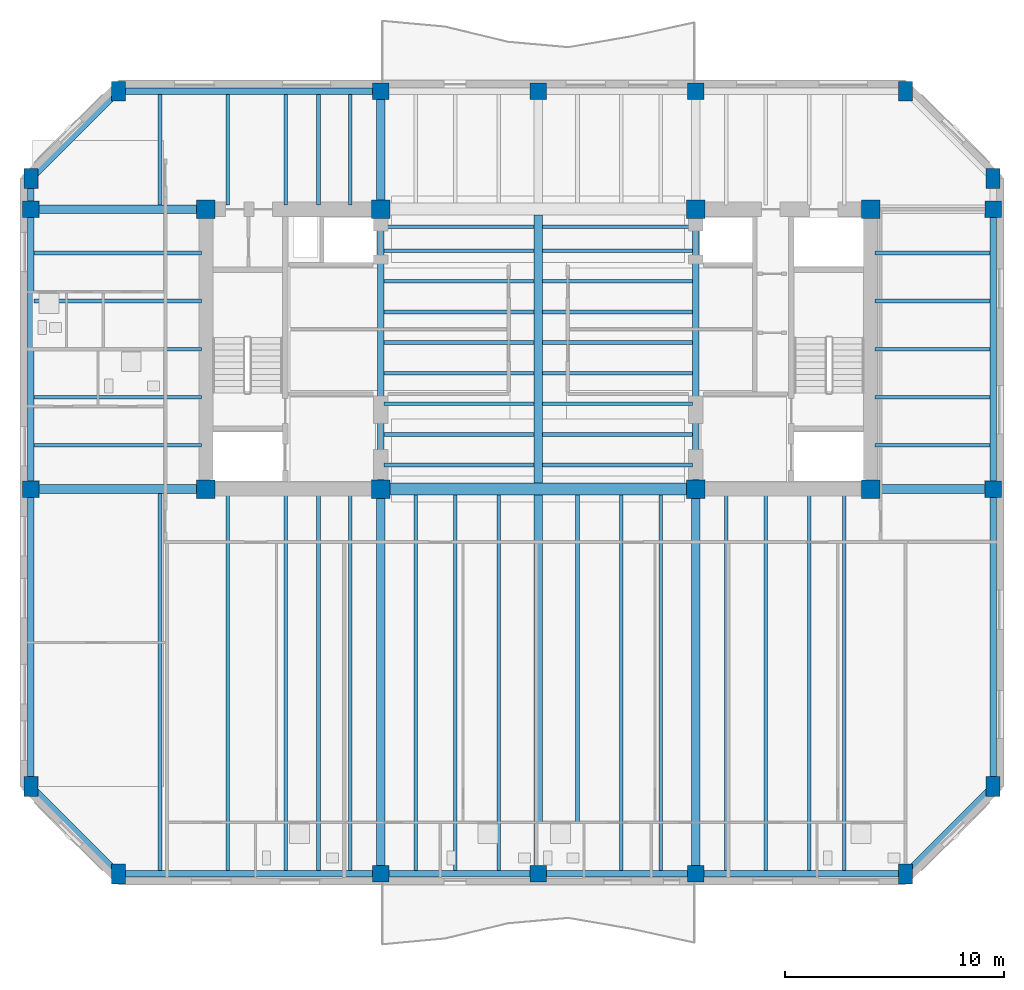
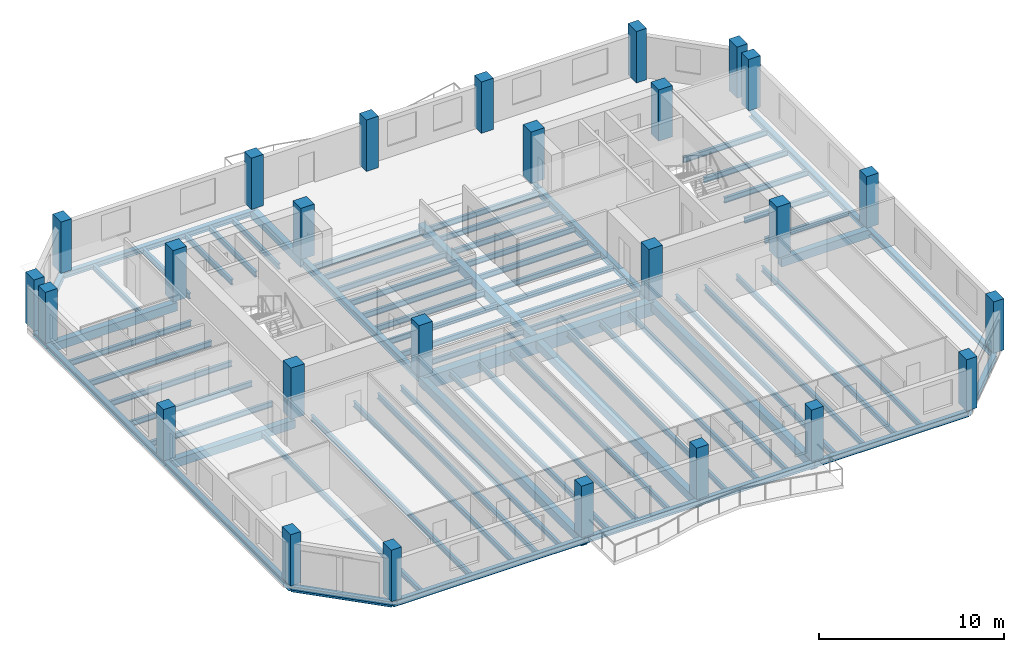
# One storey, part 1 of 11: 72 beams, 26 columns.
"""IFC4 building model written with IfcOpenShell, lengths in metres."""

from ifc_helpers import new_model, si_unit, direction, frame, origin, origin_2d, place, context, subcontext, project, spatial, rectangle, i_section, extrude, material, material_profile, profile_set, type_object, element, save


model = new_model("IFC4")

# Units and contexts
model_context = context("Model", 3, precision=1e-05, world=origin(), true_north=direction((0.0, 1.0)))
body_context = subcontext(model_context, "Body", "Model", "MODEL_VIEW")
ifc_project = project(units=[si_unit("LENGTHUNIT", "METRE"), si_unit("AREAUNIT", "SQUARE_METRE"), si_unit("VOLUMEUNIT", "CUBIC_METRE"), si_unit("PLANEANGLEUNIT", "RADIAN"), si_unit("MASSUNIT", "GRAM", prefix="KILO")], contexts=[model_context])

# Site, building, storey
site_placement = place(None, origin())
site = spatial("IfcSite", under=ifc_project, at=site_placement, CompositionType="ELEMENT")
building_placement = place(site_placement, origin())
building = spatial("IfcBuilding", under=site, at=building_placement, Name="Kranthara Brick Stack", CompositionType="ELEMENT")
storey_placement = place(building_placement, frame((0.0, 0.0, 221.10009765625)))
storey = spatial("IfcBuildingStorey", under=building, at=storey_placement, Name="L57", CompositionType="ELEMENT", Elevation=221.10009765625)

# Columns
ifc_material_1 = material(Name="Concrete C50/60", Category="concrete")
ifc_material_profile_1 = material_profile(ifc_material_1, rectangle(XDim=0.64990234375, YDim=0.89990234375, at=origin_2d()), Name="RC 650x900")
ifc_profile_set_1 = profile_set([ifc_material_profile_1], Name="Concrete C50/60")
column_type_1 = type_object("IfcColumnType", Name="COL-CHAM-650x900", PredefinedType="COLUMN", material=ifc_profile_set_1)
for number, where, z_axis, x_axis, name in (
    (1, (8.800048828125, 3.199951171875, 0.0), (0.0, 0.0, 1.0), (1.0, 0.0, 0.0), "L57 Column 09"),
    (2, (8.800048828125, 39.0, 0.0), (0.0, 0.0, 1.0), (1.0, 0.0, 0.0), "L57 Column 10"),
    (3, (44.800048828125, 3.199951171875, 0.0), (0.0, 0.0, 1.0), (1.0, 0.0, 0.0), "L57 Column 17"),
    (4, (44.800048828125, 39.0, 0.0), (0.0, 0.0, 1.0), (1.0, 0.0, 0.0), "L57 Column 18"),
    (5, (4.800048828125, 7.199951171875, 0.0), (0.0, 0.0, 1.0), (1.0, 0.0, 0.0), "L57 Column 19"),
    (6, (48.800048828125, 7.199951171875, 0.0), (0.0, 0.0, 1.0), (1.0, 0.0, 0.0), "L57 Column 20"),
    (7, (4.800048828125, 35.0, 0.0), (0.0, 0.0, 1.0), (1.0, 0.0, 0.0), "L57 Column 25"),
    (8, (48.800048828125, 35.0, 0.0), (0.0, 0.0, 1.0), (1.0, 0.0, 0.0), "L57 Column 26"),
):
    element("IfcColumn", number, at=place(storey_placement, frame(where, z_axis=z_axis, x_axis=x_axis)), inside=storey, type_object=column_type_1, Name=name, PredefinedType="COLUMN", context=body_context, shape_type="SweptSolid", body=[
        extrude(rectangle(XDim=0.64990234375, YDim=0.89990234375, at=origin_2d()), origin(), (0.0, 0.0, 1.0), 3.39990234375),
    ])
ifc_material_2 = material(Name="Concrete C50/60", Category="concrete")
ifc_material_profile_2 = material_profile(ifc_material_2, rectangle(XDim=0.85009765625, YDim=0.85009765625, at=origin_2d()), Name="RC 850x850")
ifc_profile_set_2 = profile_set([ifc_material_profile_2], Name="Concrete C50/60")
column_type_2 = type_object("IfcColumnType", Name="COL-CORE-850", PredefinedType="COLUMN", material=ifc_profile_set_2)
for number, where, z_axis, x_axis, name in (
    (9, (12.800048828125, 20.800048828125, 0.0), (0.0, 0.0, 1.0), (1.0, 0.0, 0.0), "L57 Column 01"),
    (10, (20.800048828125, 20.800048828125, 0.0), (0.0, 0.0, 1.0), (1.0, 0.0, 0.0), "L57 Column 02"),
    (11, (12.800048828125, 33.60009765625, 0.0), (0.0, 0.0, 1.0), (1.0, 0.0, 0.0), "L57 Column 03"),
    (12, (20.800048828125, 33.60009765625, 0.0), (0.0, 0.0, 1.0), (1.0, 0.0, 0.0), "L57 Column 04"),
    (13, (35.199951171875, 20.800048828125, 0.0), (0.0, 0.0, 1.0), (1.0, 0.0, 0.0), "L57 Column 05"),
    (14, (43.199951171875, 20.800048828125, 0.0), (0.0, 0.0, 1.0), (1.0, 0.0, 0.0), "L57 Column 06"),
    (15, (35.199951171875, 33.60009765625, 0.0), (0.0, 0.0, 1.0), (1.0, 0.0, 0.0), "L57 Column 07"),
    (16, (43.199951171875, 33.60009765625, 0.0), (0.0, 0.0, 1.0), (1.0, 0.0, 0.0), "L57 Column 08"),
):
    element("IfcColumn", number, at=place(storey_placement, frame(where, z_axis=z_axis, x_axis=x_axis)), inside=storey, type_object=column_type_2, Name=name, PredefinedType="COLUMN", context=body_context, shape_type="SweptSolid", body=[
        extrude(rectangle(XDim=0.85009765625, YDim=0.85009765625, at=origin_2d()), origin(), (0.0, 0.0, 1.0), 3.39990234375),
    ])
ifc_material_3 = material(Name="Concrete C50/60", Category="concrete")
ifc_material_profile_3 = material_profile(ifc_material_3, rectangle(XDim=0.75, YDim=0.75, at=origin_2d()), Name="RC 750x750")
ifc_profile_set_3 = profile_set([ifc_material_profile_3], Name="Concrete C50/60")
column_type_3 = type_object("IfcColumnType", Name="COL-PER-750", PredefinedType="COLUMN", material=ifc_profile_set_3)
for number, where, z_axis, x_axis, name in (
    (17, (20.800048828125, 3.199951171875, 0.0), (0.0, 0.0, 1.0), (1.0, 0.0, 0.0), "L57 Column 11"),
    (18, (20.800048828125, 39.0, 0.0), (0.0, 0.0, 1.0), (1.0, 0.0, 0.0), "L57 Column 12"),
    (19, (28.0, 3.199951171875, 0.0), (0.0, 0.0, 1.0), (1.0, 0.0, 0.0), "L57 Column 13"),
    (20, (28.0, 39.0, 0.0), (0.0, 0.0, 1.0), (1.0, 0.0, 0.0), "L57 Column 14"),
    (21, (35.199951171875, 3.199951171875, 0.0), (0.0, 0.0, 1.0), (1.0, 0.0, 0.0), "L57 Column 15"),
    (22, (35.199951171875, 39.0, 0.0), (0.0, 0.0, 1.0), (1.0, 0.0, 0.0), "L57 Column 16"),
    (23, (4.800048828125, 20.800048828125, 0.0), (0.0, 0.0, 1.0), (1.0, 0.0, 0.0), "L57 Column 21"),
    (24, (48.800048828125, 20.800048828125, 0.0), (0.0, 0.0, 1.0), (1.0, 0.0, 0.0), "L57 Column 22"),
    (25, (4.800048828125, 33.60009765625, 0.0), (0.0, 0.0, 1.0), (1.0, 0.0, 0.0), "L57 Column 23"),
    (26, (48.800048828125, 33.60009765625, 0.0), (0.0, 0.0, 1.0), (1.0, 0.0, 0.0), "L57 Column 24"),
):
    element("IfcColumn", number, at=place(storey_placement, frame(where, z_axis=z_axis, x_axis=x_axis)), inside=storey, type_object=column_type_3, Name=name, PredefinedType="COLUMN", context=body_context, shape_type="SweptSolid", body=[
        extrude(rectangle(XDim=0.75, YDim=0.75, at=origin_2d()), origin(), (0.0, 0.0, 1.0), 3.39990234375),
    ])

# Beams
ifc_material_4 = material(Name="Concrete C50/60", Category="concrete")
ifc_material_profile_4 = material_profile(ifc_material_4, rectangle(XDim=0.550048828125, YDim=0.85009765625, at=origin_2d()), Name="RC 550x850")
ifc_profile_set_4 = profile_set([ifc_material_profile_4], Name="Concrete C50/60")
beam_type_1 = type_object("IfcBeamType", Name="BM-CPL-RC850", PredefinedType="LINTEL", material=ifc_profile_set_4)
beam_1_placement = place(storey_placement, frame((20.800048828125, 20.800048828125, -0.72509765625), z_axis=(1.0, 0.0, 0.0), x_axis=(0.0, 1.0, 0.0)))
element("IfcBeam", 27, at=beam_1_placement, inside=storey, type_object=beam_type_1, Name="L57 Core Coupling Beam 001", PredefinedType="LINTEL", context=body_context, shape_type="SweptSolid", body=[
    extrude(rectangle(XDim=0.550048828125, YDim=0.85009765625, at=origin_2d()), origin(), (0.0, 0.0, 1.0), 14.39990234375),
])
ifc_material_5 = material(Name="Post-tensioned concrete C45/55", Category="concrete")
ifc_material_profile_5 = material_profile(ifc_material_5, rectangle(XDim=0.39990234375, YDim=0.550048828125, at=origin_2d()), Name="PT 400x550")
ifc_profile_set_5 = profile_set([ifc_material_profile_5], Name="Post-tensioned concrete C45/55")
beam_type_2 = type_object("IfcBeamType", Name="BM-FLR-PT550", PredefinedType="BEAM", material=ifc_profile_set_5)
beam_2_placement = place(storey_placement, frame((20.800048828125, 3.199951171875, -0.5751953125), z_axis=(0.0, 1.0, 0.0), x_axis=(-1.0, 0.0, 0.0)))
element("IfcBeam", 28, at=beam_2_placement, inside=storey, type_object=beam_type_2, Name="L57 Primary Grid Girder 023", PredefinedType="BEAM", context=body_context, shape_type="SweptSolid", body=[
    extrude(rectangle(XDim=0.39990234375, YDim=0.550048828125, at=origin_2d()), origin(), (0.0, 0.0, 1.0), 17.60009765625),
])
beam_3_placement = place(storey_placement, frame((20.800048828125, 33.60009765625, -0.5751953125), z_axis=(0.0, 1.0, 0.0), x_axis=(-1.0, 0.0, 0.0)))
element("IfcBeam", 29, at=beam_3_placement, inside=storey, type_object=beam_type_2, Name="L57 Primary Grid Girder 024", PredefinedType="BEAM", context=body_context, shape_type="SweptSolid", body=[
    extrude(rectangle(XDim=0.39990234375, YDim=0.550048828125, at=origin_2d()), origin(), (0.0, 0.0, 1.0), 5.39990234375),
])
beam_4_placement = place(storey_placement, frame((28.0, 3.199951171875, -0.5751953125), z_axis=(0.0, 1.0, 0.0), x_axis=(-1.0, 0.0, 0.0)))
element("IfcBeam", 30, at=beam_4_placement, inside=storey, type_object=beam_type_2, Name="L57 Primary Grid Girder 025", PredefinedType="BEAM", context=body_context, shape_type="SweptSolid", body=[
    extrude(rectangle(XDim=0.39990234375, YDim=0.550048828125, at=origin_2d()), origin(), (0.0, 0.0, 1.0), 17.324951171875),
])
beam_5_placement = place(storey_placement, frame((28.0, 21.074951171875, -0.5751953125), z_axis=(0.0, 1.0, 0.0), x_axis=(-1.0, 0.0, 0.0)))
element("IfcBeam", 31, at=beam_5_placement, inside=storey, type_object=beam_type_2, Name="L57 Central Spine Girder 026", PredefinedType="BEAM", context=body_context, shape_type="SweptSolid", body=[
    extrude(rectangle(XDim=0.39990234375, YDim=0.550048828125, at=origin_2d()), origin(), (0.0, 0.0, 1.0), 12.25),
])
beam_6_placement = place(storey_placement, frame((35.199951171875, 3.199951171875, -0.5751953125), z_axis=(0.0, 1.0, 0.0), x_axis=(-1.0, 0.0, 0.0)))
element("IfcBeam", 32, at=beam_6_placement, inside=storey, type_object=beam_type_2, Name="L57 Primary Grid Girder 028", PredefinedType="BEAM", context=body_context, shape_type="SweptSolid", body=[
    extrude(rectangle(XDim=0.39990234375, YDim=0.550048828125, at=origin_2d()), origin(), (0.0, 0.0, 1.0), 17.60009765625),
])
beam_7_placement = place(storey_placement, frame((4.800048828125, 20.800048828125, -0.5751953125), z_axis=(1.0, 0.0, 0.0), x_axis=(0.0, 1.0, 0.0)))
element("IfcBeam", 33, at=beam_7_placement, inside=storey, type_object=beam_type_2, Name="L57 Primary Grid Girder 030", PredefinedType="BEAM", context=body_context, shape_type="SweptSolid", body=[
    extrude(rectangle(XDim=0.39990234375, YDim=0.550048828125, at=origin_2d()), origin(), (0.0, 0.0, 1.0), 8.0),
])
beam_8_placement = place(storey_placement, frame((43.199951171875, 20.800048828125, -0.5751953125), z_axis=(1.0, 0.0, 0.0), x_axis=(0.0, 1.0, 0.0)))
element("IfcBeam", 34, at=beam_8_placement, inside=storey, type_object=beam_type_2, Name="L57 Primary Grid Girder 031", PredefinedType="BEAM", context=body_context, shape_type="SweptSolid", body=[
    extrude(rectangle(XDim=0.39990234375, YDim=0.550048828125, at=origin_2d()), origin(), (0.0, 0.0, 1.0), 5.60009765625),
])
beam_9_placement = place(storey_placement, frame((4.800048828125, 33.60009765625, -0.5751953125), z_axis=(1.0, 0.0, 0.0), x_axis=(0.0, 1.0, 0.0)))
element("IfcBeam", 35, at=beam_9_placement, inside=storey, type_object=beam_type_2, Name="L57 Primary Grid Girder 032", PredefinedType="BEAM", context=body_context, shape_type="SweptSolid", body=[
    extrude(rectangle(XDim=0.39990234375, YDim=0.550048828125, at=origin_2d()), origin(), (0.0, 0.0, 1.0), 8.0),
])
ifc_material_6 = material(Name="Steel S355", Category="steel")
ifc_material_profile_6 = material_profile(ifc_material_6, i_section(OverallWidth=0.169921875, OverallDepth=0.360107421875, WebThickness=0.008056640625, FlangeThickness=0.0126953125, at=origin_2d()), Name="IPE 360")
ifc_profile_set_6 = profile_set([ifc_material_profile_6], Name="Steel S355")
beam_type_3 = type_object("IfcBeamType", Name="BM-JST-IPE360", PredefinedType="JOIST", material=ifc_profile_set_6)
for number, where, z_axis, x_axis, name in (
    (36, (20.949951171875, 21.89990234375, -0.47998046875), (1.0, 0.0, 0.0), (0.0, 1.0, 0.0), "L57 Central Floor Joist 034"),
    (37, (28.199951171875, 21.89990234375, -0.47998046875), (1.0, 0.0, 0.0), (0.0, 1.0, 0.0), "L57 Central Floor Joist 035"),
    (38, (20.949951171875, 23.300048828125, -0.47998046875), (1.0, 0.0, 0.0), (0.0, 1.0, 0.0), "L57 Central Floor Joist 036"),
    (39, (28.199951171875, 23.300048828125, -0.47998046875), (1.0, 0.0, 0.0), (0.0, 1.0, 0.0), "L57 Central Floor Joist 037"),
    (40, (20.949951171875, 24.699951171875, -0.47998046875), (1.0, 0.0, 0.0), (0.0, 1.0, 0.0), "L57 Central Floor Joist 038"),
    (41, (28.199951171875, 24.699951171875, -0.47998046875), (1.0, 0.0, 0.0), (0.0, 1.0, 0.0), "L57 Central Floor Joist 039"),
    (42, (20.949951171875, 26.10009765625, -0.47998046875), (1.0, 0.0, 0.0), (0.0, 1.0, 0.0), "L57 Central Floor Joist 040"),
    (43, (28.199951171875, 26.10009765625, -0.47998046875), (1.0, 0.0, 0.0), (0.0, 1.0, 0.0), "L57 Central Floor Joist 041"),
    (44, (20.949951171875, 27.5, -0.47998046875), (1.0, 0.0, 0.0), (0.0, 1.0, 0.0), "L57 Central Floor Joist 042"),
    (45, (28.199951171875, 27.5, -0.47998046875), (1.0, 0.0, 0.0), (0.0, 1.0, 0.0), "L57 Central Floor Joist 043"),
    (46, (20.949951171875, 28.89990234375, -0.47998046875), (1.0, 0.0, 0.0), (0.0, 1.0, 0.0), "L57 Central Floor Joist 044"),
    (47, (28.199951171875, 28.89990234375, -0.47998046875), (1.0, 0.0, 0.0), (0.0, 1.0, 0.0), "L57 Central Floor Joist 045"),
    (48, (20.949951171875, 30.300048828125, -0.47998046875), (1.0, 0.0, 0.0), (0.0, 1.0, 0.0), "L57 Central Floor Joist 046"),
    (49, (28.199951171875, 30.300048828125, -0.47998046875), (1.0, 0.0, 0.0), (0.0, 1.0, 0.0), "L57 Central Floor Joist 047"),
    (50, (20.949951171875, 31.699951171875, -0.47998046875), (1.0, 0.0, 0.0), (0.0, 1.0, 0.0), "L57 Central Floor Joist 048"),
    (51, (28.199951171875, 31.699951171875, -0.47998046875), (1.0, 0.0, 0.0), (0.0, 1.0, 0.0), "L57 Central Floor Joist 049"),
    (52, (20.949951171875, 32.800048828125, -0.47998046875), (1.0, 0.0, 0.0), (0.0, 1.0, 0.0), "L57 Central Floor Joist 050"),
    (53, (28.199951171875, 32.800048828125, -0.47998046875), (1.0, 0.0, 0.0), (0.0, 1.0, 0.0), "L57 Central Floor Joist 051"),
):
    element("IfcBeam", number, at=place(storey_placement, frame(where, z_axis=z_axis, x_axis=x_axis)), inside=storey, type_object=beam_type_3, Name=name, PredefinedType="JOIST", context=body_context, shape_type="SweptSolid", body=[
        extrude(i_section(OverallWidth=0.169921875, OverallDepth=0.360107421875, WebThickness=0.008056640625, FlangeThickness=0.0126953125, at=origin_2d()), origin(), (0.0, 0.0, 1.0), 6.85009765625),
    ])
beam_10_placement = place(storey_placement, frame((10.699951171875, 3.35009765625, -0.47998046875), z_axis=(0.0, 1.0, 0.0), x_axis=(-1.0, 0.0, 0.0)))
element("IfcBeam", 54, at=beam_10_placement, inside=storey, type_object=beam_type_3, Name="L57 South Wing Floor Joist 052", PredefinedType="JOIST", context=body_context, shape_type="SweptSolid", body=[
    extrude(i_section(OverallWidth=0.169921875, OverallDepth=0.360107421875, WebThickness=0.008056640625, FlangeThickness=0.0126953125, at=origin_2d()), origin(), (0.0, 0.0, 1.0), 17.25),
])
beam_11_placement = place(storey_placement, frame((10.699951171875, 33.800048828125, -0.47998046875), z_axis=(0.0, 1.0, 0.0), x_axis=(-1.0, 0.0, 0.0)))
element("IfcBeam", 55, at=beam_11_placement, inside=storey, type_object=beam_type_3, Name="L57 North Wing Floor Joist 053", PredefinedType="JOIST", context=body_context, shape_type="SweptSolid", body=[
    extrude(i_section(OverallWidth=0.169921875, OverallDepth=0.360107421875, WebThickness=0.008056640625, FlangeThickness=0.0126953125, at=origin_2d()), origin(), (0.0, 0.0, 1.0), 5.050048828125),
])
beam_12_placement = place(storey_placement, frame((13.800048828125, 3.35009765625, -0.47998046875), z_axis=(0.0, 1.0, 0.0), x_axis=(-1.0, 0.0, 0.0)))
element("IfcBeam", 56, at=beam_12_placement, inside=storey, type_object=beam_type_3, Name="L57 South Wing Floor Joist 054", PredefinedType="JOIST", context=body_context, shape_type="SweptSolid", body=[
    extrude(i_section(OverallWidth=0.169921875, OverallDepth=0.360107421875, WebThickness=0.008056640625, FlangeThickness=0.0126953125, at=origin_2d()), origin(), (0.0, 0.0, 1.0), 17.25),
])
beam_13_placement = place(storey_placement, frame((13.800048828125, 33.800048828125, -0.47998046875), z_axis=(0.0, 1.0, 0.0), x_axis=(-1.0, 0.0, 0.0)))
element("IfcBeam", 57, at=beam_13_placement, inside=storey, type_object=beam_type_3, Name="L57 North Wing Floor Joist 055", PredefinedType="JOIST", context=body_context, shape_type="SweptSolid", body=[
    extrude(i_section(OverallWidth=0.169921875, OverallDepth=0.360107421875, WebThickness=0.008056640625, FlangeThickness=0.0126953125, at=origin_2d()), origin(), (0.0, 0.0, 1.0), 5.050048828125),
])
beam_14_placement = place(storey_placement, frame((16.449951171875, 3.35009765625, -0.47998046875), z_axis=(0.0, 1.0, 0.0), x_axis=(-1.0, 0.0, 0.0)))
element("IfcBeam", 58, at=beam_14_placement, inside=storey, type_object=beam_type_3, Name="L57 South Wing Floor Joist 056", PredefinedType="JOIST", context=body_context, shape_type="SweptSolid", body=[
    extrude(i_section(OverallWidth=0.169921875, OverallDepth=0.360107421875, WebThickness=0.008056640625, FlangeThickness=0.0126953125, at=origin_2d()), origin(), (0.0, 0.0, 1.0), 17.25),
])
beam_15_placement = place(storey_placement, frame((16.449951171875, 33.800048828125, -0.47998046875), z_axis=(0.0, 1.0, 0.0), x_axis=(-1.0, 0.0, 0.0)))
element("IfcBeam", 59, at=beam_15_placement, inside=storey, type_object=beam_type_3, Name="L57 North Wing Floor Joist 057", PredefinedType="JOIST", context=body_context, shape_type="SweptSolid", body=[
    extrude(i_section(OverallWidth=0.169921875, OverallDepth=0.360107421875, WebThickness=0.008056640625, FlangeThickness=0.0126953125, at=origin_2d()), origin(), (0.0, 0.0, 1.0), 5.050048828125),
])
beam_16_placement = place(storey_placement, frame((17.949951171875, 3.35009765625, -0.47998046875), z_axis=(0.0, 1.0, 0.0), x_axis=(-1.0, 0.0, 0.0)))
element("IfcBeam", 60, at=beam_16_placement, inside=storey, type_object=beam_type_3, Name="L57 South Wing Floor Joist 058", PredefinedType="JOIST", context=body_context, shape_type="SweptSolid", body=[
    extrude(i_section(OverallWidth=0.169921875, OverallDepth=0.360107421875, WebThickness=0.008056640625, FlangeThickness=0.0126953125, at=origin_2d()), origin(), (0.0, 0.0, 1.0), 17.25),
])
beam_17_placement = place(storey_placement, frame((17.949951171875, 33.800048828125, -0.47998046875), z_axis=(0.0, 1.0, 0.0), x_axis=(-1.0, 0.0, 0.0)))
element("IfcBeam", 61, at=beam_17_placement, inside=storey, type_object=beam_type_3, Name="L57 North Wing Floor Joist 059", PredefinedType="JOIST", context=body_context, shape_type="SweptSolid", body=[
    extrude(i_section(OverallWidth=0.169921875, OverallDepth=0.360107421875, WebThickness=0.008056640625, FlangeThickness=0.0126953125, at=origin_2d()), origin(), (0.0, 0.0, 1.0), 5.050048828125),
])
beam_18_placement = place(storey_placement, frame((19.39990234375, 3.35009765625, -0.47998046875), z_axis=(0.0, 1.0, 0.0), x_axis=(-1.0, 0.0, 0.0)))
element("IfcBeam", 62, at=beam_18_placement, inside=storey, type_object=beam_type_3, Name="L57 South Wing Floor Joist 060", PredefinedType="JOIST", context=body_context, shape_type="SweptSolid", body=[
    extrude(i_section(OverallWidth=0.169921875, OverallDepth=0.360107421875, WebThickness=0.008056640625, FlangeThickness=0.0126953125, at=origin_2d()), origin(), (0.0, 0.0, 1.0), 17.25),
])
beam_19_placement = place(storey_placement, frame((19.39990234375, 33.800048828125, -0.47998046875), z_axis=(0.0, 1.0, 0.0), x_axis=(-1.0, 0.0, 0.0)))
element("IfcBeam", 63, at=beam_19_placement, inside=storey, type_object=beam_type_3, Name="L57 North Wing Floor Joist 061", PredefinedType="JOIST", context=body_context, shape_type="SweptSolid", body=[
    extrude(i_section(OverallWidth=0.169921875, OverallDepth=0.360107421875, WebThickness=0.008056640625, FlangeThickness=0.0126953125, at=origin_2d()), origin(), (0.0, 0.0, 1.0), 5.050048828125),
])
for number, where, z_axis, x_axis, name in (
    (64, (22.39990234375, 3.35009765625, -0.47998046875), (0.0, 1.0, 0.0), (-1.0, 0.0, 0.0), "L57 South Wing Floor Joist 062"),
    (65, (24.199951171875, 3.35009765625, -0.47998046875), (0.0, 1.0, 0.0), (-1.0, 0.0, 0.0), "L57 South Wing Floor Joist 064"),
    (66, (26.199951171875, 3.35009765625, -0.47998046875), (0.0, 1.0, 0.0), (-1.0, 0.0, 0.0), "L57 South Wing Floor Joist 066"),
    (67, (29.800048828125, 3.35009765625, -0.47998046875), (0.0, 1.0, 0.0), (-1.0, 0.0, 0.0), "L57 South Wing Floor Joist 068"),
    (68, (31.800048828125, 3.35009765625, -0.47998046875), (0.0, 1.0, 0.0), (-1.0, 0.0, 0.0), "L57 South Wing Floor Joist 070"),
    (69, (33.60009765625, 3.35009765625, -0.47998046875), (0.0, 1.0, 0.0), (-1.0, 0.0, 0.0), "L57 South Wing Floor Joist 072"),
):
    element("IfcBeam", number, at=place(storey_placement, frame(where, z_axis=z_axis, x_axis=x_axis)), inside=storey, type_object=beam_type_3, Name=name, PredefinedType="JOIST", context=body_context, shape_type="SweptSolid", body=[
        extrude(i_section(OverallWidth=0.169921875, OverallDepth=0.360107421875, WebThickness=0.008056640625, FlangeThickness=0.0126953125, at=origin_2d()), origin(), (0.0, 0.0, 1.0), 17.1748046875),
    ])
for number, where, z_axis, x_axis, name in (
    (70, (36.60009765625, 3.35009765625, -0.47998046875), (0.0, 1.0, 0.0), (-1.0, 0.0, 0.0), "L57 South Wing Floor Joist 074"),
    (71, (38.39990234375, 3.35009765625, -0.47998046875), (0.0, 1.0, 0.0), (-1.0, 0.0, 0.0), "L57 South Wing Floor Joist 076"),
    (72, (40.39990234375, 3.35009765625, -0.47998046875), (0.0, 1.0, 0.0), (-1.0, 0.0, 0.0), "L57 South Wing Floor Joist 078"),
    (73, (42.0, 3.35009765625, -0.47998046875), (0.0, 1.0, 0.0), (-1.0, 0.0, 0.0), "L57 South Wing Floor Joist 080"),
):
    element("IfcBeam", number, at=place(storey_placement, frame(where, z_axis=z_axis, x_axis=x_axis)), inside=storey, type_object=beam_type_3, Name=name, PredefinedType="JOIST", context=body_context, shape_type="SweptSolid", body=[
        extrude(i_section(OverallWidth=0.169921875, OverallDepth=0.360107421875, WebThickness=0.008056640625, FlangeThickness=0.0126953125, at=origin_2d()), origin(), (0.0, 0.0, 1.0), 17.25),
    ])
beam_20_placement = place(storey_placement, frame((4.949951171875, 22.800048828125, -0.47998046875), z_axis=(1.0, 0.0, 0.0), x_axis=(0.0, 1.0, 0.0)))
element("IfcBeam", 74, at=beam_20_placement, inside=storey, type_object=beam_type_3, Name="L57 West Wing Floor Joist 082", PredefinedType="JOIST", context=body_context, shape_type="SweptSolid", body=[
    extrude(i_section(OverallWidth=0.169921875, OverallDepth=0.360107421875, WebThickness=0.008056640625, FlangeThickness=0.0126953125, at=origin_2d()), origin(), (0.0, 0.0, 1.0), 7.650146484375),
])
beam_21_placement = place(storey_placement, frame((43.39990234375, 22.800048828125, -0.47998046875), z_axis=(1.0, 0.0, 0.0), x_axis=(0.0, 1.0, 0.0)))
element("IfcBeam", 75, at=beam_21_placement, inside=storey, type_object=beam_type_3, Name="L57 East Wing Floor Joist 083", PredefinedType="JOIST", context=body_context, shape_type="SweptSolid", body=[
    extrude(i_section(OverallWidth=0.169921875, OverallDepth=0.360107421875, WebThickness=0.008056640625, FlangeThickness=0.0126953125, at=origin_2d()), origin(), (0.0, 0.0, 1.0), 5.25),
])
beam_22_placement = place(storey_placement, frame((4.949951171875, 25.0, -0.47998046875), z_axis=(1.0, 0.0, 0.0), x_axis=(0.0, 1.0, 0.0)))
element("IfcBeam", 76, at=beam_22_placement, inside=storey, type_object=beam_type_3, Name="L57 West Wing Floor Joist 084", PredefinedType="JOIST", context=body_context, shape_type="SweptSolid", body=[
    extrude(i_section(OverallWidth=0.169921875, OverallDepth=0.360107421875, WebThickness=0.008056640625, FlangeThickness=0.0126953125, at=origin_2d()), origin(), (0.0, 0.0, 1.0), 7.650146484375),
])
beam_23_placement = place(storey_placement, frame((43.39990234375, 25.0, -0.47998046875), z_axis=(1.0, 0.0, 0.0), x_axis=(0.0, 1.0, 0.0)))
element("IfcBeam", 77, at=beam_23_placement, inside=storey, type_object=beam_type_3, Name="L57 East Wing Floor Joist 085", PredefinedType="JOIST", context=body_context, shape_type="SweptSolid", body=[
    extrude(i_section(OverallWidth=0.169921875, OverallDepth=0.360107421875, WebThickness=0.008056640625, FlangeThickness=0.0126953125, at=origin_2d()), origin(), (0.0, 0.0, 1.0), 5.25),
])
beam_24_placement = place(storey_placement, frame((4.949951171875, 27.199951171875, -0.47998046875), z_axis=(1.0, 0.0, 0.0), x_axis=(0.0, 1.0, 0.0)))
element("IfcBeam", 78, at=beam_24_placement, inside=storey, type_object=beam_type_3, Name="L57 West Wing Floor Joist 086", PredefinedType="JOIST", context=body_context, shape_type="SweptSolid", body=[
    extrude(i_section(OverallWidth=0.169921875, OverallDepth=0.360107421875, WebThickness=0.008056640625, FlangeThickness=0.0126953125, at=origin_2d()), origin(), (0.0, 0.0, 1.0), 7.650146484375),
])
beam_25_placement = place(storey_placement, frame((43.39990234375, 27.199951171875, -0.47998046875), z_axis=(1.0, 0.0, 0.0), x_axis=(0.0, 1.0, 0.0)))
element("IfcBeam", 79, at=beam_25_placement, inside=storey, type_object=beam_type_3, Name="L57 East Wing Floor Joist 087", PredefinedType="JOIST", context=body_context, shape_type="SweptSolid", body=[
    extrude(i_section(OverallWidth=0.169921875, OverallDepth=0.360107421875, WebThickness=0.008056640625, FlangeThickness=0.0126953125, at=origin_2d()), origin(), (0.0, 0.0, 1.0), 5.25),
])
beam_26_placement = place(storey_placement, frame((4.949951171875, 29.39990234375, -0.47998046875), z_axis=(1.0, 0.0, 0.0), x_axis=(0.0, 1.0, 0.0)))
element("IfcBeam", 80, at=beam_26_placement, inside=storey, type_object=beam_type_3, Name="L57 West Wing Floor Joist 088", PredefinedType="JOIST", context=body_context, shape_type="SweptSolid", body=[
    extrude(i_section(OverallWidth=0.169921875, OverallDepth=0.360107421875, WebThickness=0.008056640625, FlangeThickness=0.0126953125, at=origin_2d()), origin(), (0.0, 0.0, 1.0), 7.650146484375),
])
beam_27_placement = place(storey_placement, frame((43.39990234375, 29.39990234375, -0.47998046875), z_axis=(1.0, 0.0, 0.0), x_axis=(0.0, 1.0, 0.0)))
element("IfcBeam", 81, at=beam_27_placement, inside=storey, type_object=beam_type_3, Name="L57 East Wing Floor Joist 089", PredefinedType="JOIST", context=body_context, shape_type="SweptSolid", body=[
    extrude(i_section(OverallWidth=0.169921875, OverallDepth=0.360107421875, WebThickness=0.008056640625, FlangeThickness=0.0126953125, at=origin_2d()), origin(), (0.0, 0.0, 1.0), 5.25),
])
beam_28_placement = place(storey_placement, frame((4.949951171875, 31.60009765625, -0.47998046875), z_axis=(1.0, 0.0, 0.0), x_axis=(0.0, 1.0, 0.0)))
element("IfcBeam", 82, at=beam_28_placement, inside=storey, type_object=beam_type_3, Name="L57 West Wing Floor Joist 090", PredefinedType="JOIST", context=body_context, shape_type="SweptSolid", body=[
    extrude(i_section(OverallWidth=0.169921875, OverallDepth=0.360107421875, WebThickness=0.008056640625, FlangeThickness=0.0126953125, at=origin_2d()), origin(), (0.0, 0.0, 1.0), 7.650146484375),
])
beam_29_placement = place(storey_placement, frame((43.39990234375, 31.60009765625, -0.47998046875), z_axis=(1.0, 0.0, 0.0), x_axis=(0.0, 1.0, 0.0)))
element("IfcBeam", 83, at=beam_29_placement, inside=storey, type_object=beam_type_3, Name="L57 East Wing Floor Joist 091", PredefinedType="JOIST", context=body_context, shape_type="SweptSolid", body=[
    extrude(i_section(OverallWidth=0.169921875, OverallDepth=0.360107421875, WebThickness=0.008056640625, FlangeThickness=0.0126953125, at=origin_2d()), origin(), (0.0, 0.0, 1.0), 5.25),
])
ifc_material_7 = material(Name="Steel S355", Category="steel")
ifc_material_profile_7 = material_profile(ifc_material_7, i_section(OverallWidth=0.300048828125, OverallDepth=0.360107421875, WebThickness=0.012451171875, FlangeThickness=0.0224609375, at=origin_2d()), Name="HEB 360")
ifc_profile_set_7 = profile_set([ifc_material_profile_7], Name="Steel S355")
beam_type_4 = type_object("IfcBeamType", Name="BM-STL-HEB360", PredefinedType="SPANDREL", material=ifc_profile_set_7)
beam_30_placement = place(storey_placement, frame((8.800048828125, 3.199951171875, -0.47998046875), z_axis=(1.0, 0.0, 0.0), x_axis=(0.0, 1.0, 0.0)))
element("IfcBeam", 84, at=beam_30_placement, inside=storey, type_object=beam_type_4, Name="L57 Perimeter Spandrel Beam 005", PredefinedType="SPANDREL", context=body_context, shape_type="SweptSolid", body=[
    extrude(i_section(OverallWidth=0.300048828125, OverallDepth=0.360107421875, WebThickness=0.012451171875, FlangeThickness=0.0224609375, at=origin_2d()), origin(), (0.0, 0.0, 1.0), 12.0),
])
for number, where, z_axis, x_axis, name in (
    (85, (20.800048828125, 3.199951171875, -0.47998046875), (1.0, 0.0, 0.0), (0.0, 1.0, 0.0), "L57 Perimeter Spandrel Beam 006"),
    (86, (28.0, 3.199951171875, -0.47998046875), (1.0, 0.0, 0.0), (0.0, 1.0, 0.0), "L57 Perimeter Spandrel Beam 007"),
):
    element("IfcBeam", number, at=place(storey_placement, frame(where, z_axis=z_axis, x_axis=x_axis)), inside=storey, type_object=beam_type_4, Name=name, PredefinedType="SPANDREL", context=body_context, shape_type="SweptSolid", body=[
        extrude(i_section(OverallWidth=0.300048828125, OverallDepth=0.360107421875, WebThickness=0.012451171875, FlangeThickness=0.0224609375, at=origin_2d()), origin(), (0.0, 0.0, 1.0), 7.199951171875),
    ])
beam_31_placement = place(storey_placement, frame((35.199951171875, 3.199951171875, -0.47998046875), z_axis=(1.0, 0.0, 0.0), x_axis=(0.0, 1.0, 0.0)))
element("IfcBeam", 87, at=beam_31_placement, inside=storey, type_object=beam_type_4, Name="L57 Perimeter Spandrel Beam 008", PredefinedType="SPANDREL", context=body_context, shape_type="SweptSolid", body=[
    extrude(i_section(OverallWidth=0.300048828125, OverallDepth=0.360107421875, WebThickness=0.012451171875, FlangeThickness=0.0224609375, at=origin_2d()), origin(), (0.0, 0.0, 1.0), 9.60009765625),
])
beam_32_placement = place(storey_placement, frame((8.800048828125, 39.0, -0.47998046875), z_axis=(1.0, 0.0, 0.0), x_axis=(0.0, 1.0, 0.0)))
element("IfcBeam", 88, at=beam_32_placement, inside=storey, type_object=beam_type_4, Name="L57 Perimeter Spandrel Beam 009", PredefinedType="SPANDREL", context=body_context, shape_type="SweptSolid", body=[
    extrude(i_section(OverallWidth=0.300048828125, OverallDepth=0.360107421875, WebThickness=0.012451171875, FlangeThickness=0.0224609375, at=origin_2d()), origin(), (0.0, 0.0, 1.0), 12.0),
])
beam_33_placement = place(storey_placement, frame((4.800048828125, 7.199951171875, -0.47998046875), z_axis=(0.0, 1.0, 0.0), x_axis=(-1.0, 0.0, 0.0)))
element("IfcBeam", 89, at=beam_33_placement, inside=storey, type_object=beam_type_4, Name="L57 Perimeter Spandrel Beam 013", PredefinedType="SPANDREL", context=body_context, shape_type="SweptSolid", body=[
    extrude(i_section(OverallWidth=0.300048828125, OverallDepth=0.360107421875, WebThickness=0.012451171875, FlangeThickness=0.0224609375, at=origin_2d()), origin(), (0.0, 0.0, 1.0), 13.60009765625),
])
beam_34_placement = place(storey_placement, frame((4.800048828125, 20.800048828125, -0.47998046875), z_axis=(0.0, 1.0, 0.0), x_axis=(-1.0, 0.0, 0.0)))
element("IfcBeam", 90, at=beam_34_placement, inside=storey, type_object=beam_type_4, Name="L57 Perimeter Spandrel Beam 014", PredefinedType="SPANDREL", context=body_context, shape_type="SweptSolid", body=[
    extrude(i_section(OverallWidth=0.300048828125, OverallDepth=0.360107421875, WebThickness=0.012451171875, FlangeThickness=0.0224609375, at=origin_2d()), origin(), (0.0, 0.0, 1.0), 12.800048828125),
])
beam_35_placement = place(storey_placement, frame((4.800048828125, 33.60009765625, -0.47998046875), z_axis=(0.0, 1.0, 0.0), x_axis=(-1.0, 0.0, 0.0)))
element("IfcBeam", 91, at=beam_35_placement, inside=storey, type_object=beam_type_4, Name="L57 Perimeter Spandrel Beam 015", PredefinedType="SPANDREL", context=body_context, shape_type="SweptSolid", body=[
    extrude(i_section(OverallWidth=0.300048828125, OverallDepth=0.360107421875, WebThickness=0.012451171875, FlangeThickness=0.0224609375, at=origin_2d()), origin(), (0.0, 0.0, 1.0), 1.39990234375),
])
beam_36_placement = place(storey_placement, frame((48.800048828125, 7.199951171875, -0.47998046875), z_axis=(0.0, 1.0, 0.0), x_axis=(-1.0, 0.0, 0.0)))
element("IfcBeam", 92, at=beam_36_placement, inside=storey, type_object=beam_type_4, Name="L57 Perimeter Spandrel Beam 016", PredefinedType="SPANDREL", context=body_context, shape_type="SweptSolid", body=[
    extrude(i_section(OverallWidth=0.300048828125, OverallDepth=0.360107421875, WebThickness=0.012451171875, FlangeThickness=0.0224609375, at=origin_2d()), origin(), (0.0, 0.0, 1.0), 13.60009765625),
])
beam_37_placement = place(storey_placement, frame((48.800048828125, 20.800048828125, -0.47998046875), z_axis=(0.0, 1.0, 0.0), x_axis=(-1.0, 0.0, 0.0)))
element("IfcBeam", 93, at=beam_37_placement, inside=storey, type_object=beam_type_4, Name="L57 Perimeter Spandrel Beam 017", PredefinedType="SPANDREL", context=body_context, shape_type="SweptSolid", body=[
    extrude(i_section(OverallWidth=0.300048828125, OverallDepth=0.360107421875, WebThickness=0.012451171875, FlangeThickness=0.0224609375, at=origin_2d()), origin(), (0.0, 0.0, 1.0), 12.800048828125),
])
for number, where, z_axis, x_axis, name in (
    (94, (8.800048828125, 3.199951171875, -0.47998046875), (-0.707106781187, 0.707106781187, 0.0), (-0.707106781187, -0.707106781187, 0.0), "L57 Chamfer Corner Spandrel 019"),
    (95, (44.800048828125, 3.199951171875, -0.47998046875), (0.707106781187, 0.707106781187, 0.0), (-0.707106781187, 0.707106781187, 0.0), "L57 Chamfer Corner Spandrel 020"),
    (96, (8.800048828125, 39.0, -0.47998046875), (-0.707106781187, -0.707106781187, 0.0), (0.707106781187, -0.707106781187, 0.0), "L57 Chamfer Corner Spandrel 021"),
):
    element("IfcBeam", number, at=place(storey_placement, frame(where, z_axis=z_axis, x_axis=x_axis)), inside=storey, type_object=beam_type_4, Name=name, PredefinedType="SPANDREL", context=body_context, shape_type="SweptSolid", body=[
        extrude(i_section(OverallWidth=0.300048828125, OverallDepth=0.360107421875, WebThickness=0.012451171875, FlangeThickness=0.0224609375, at=origin_2d()), origin(), (0.0, 0.0, 1.0), 5.65673828125),
    ])
ifc_material_8 = material(Name="Steel S355", Category="steel")
ifc_material_profile_8 = material_profile(ifc_material_8, i_section(OverallWidth=0.300048828125, OverallDepth=0.449951171875, WebThickness=0.013916015625, FlangeThickness=0.02587890625, at=origin_2d()), Name="HEB 450")
ifc_profile_set_8 = profile_set([ifc_material_profile_8], Name="Steel S355")
beam_type_5 = type_object("IfcBeamType", Name="BM-STL-HEB450", PredefinedType="SPANDREL", material=ifc_profile_set_8)
for number, where, z_axis, x_axis, name in (
    (97, (20.800048828125, 20.800048828125, -0.525146484375), (0.0, 1.0, 0.0), (-1.0, 0.0, 0.0), "L57 Core Edge Tie Beam 003"),
    (98, (35.199951171875, 20.800048828125, -0.525146484375), (0.0, 1.0, 0.0), (-1.0, 0.0, 0.0), "L57 Core Edge Tie Beam 004"),
):
    element("IfcBeam", number, at=place(storey_placement, frame(where, z_axis=z_axis, x_axis=x_axis)), inside=storey, type_object=beam_type_5, Name=name, PredefinedType="SPANDREL", context=body_context, shape_type="SweptSolid", body=[
        extrude(i_section(OverallWidth=0.300048828125, OverallDepth=0.449951171875, WebThickness=0.013916015625, FlangeThickness=0.02587890625, at=origin_2d()), origin(), (0.0, 0.0, 1.0), 12.800048828125),
    ])

save(model, "model.ifc")
